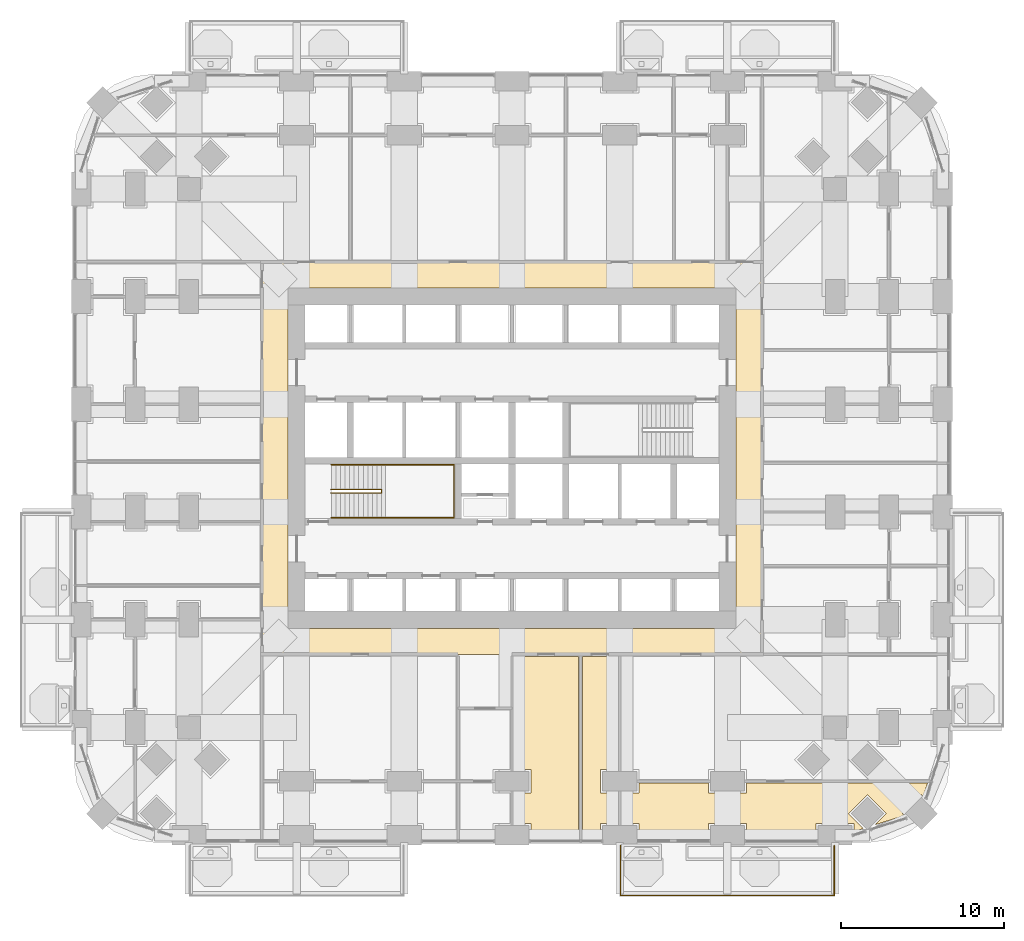
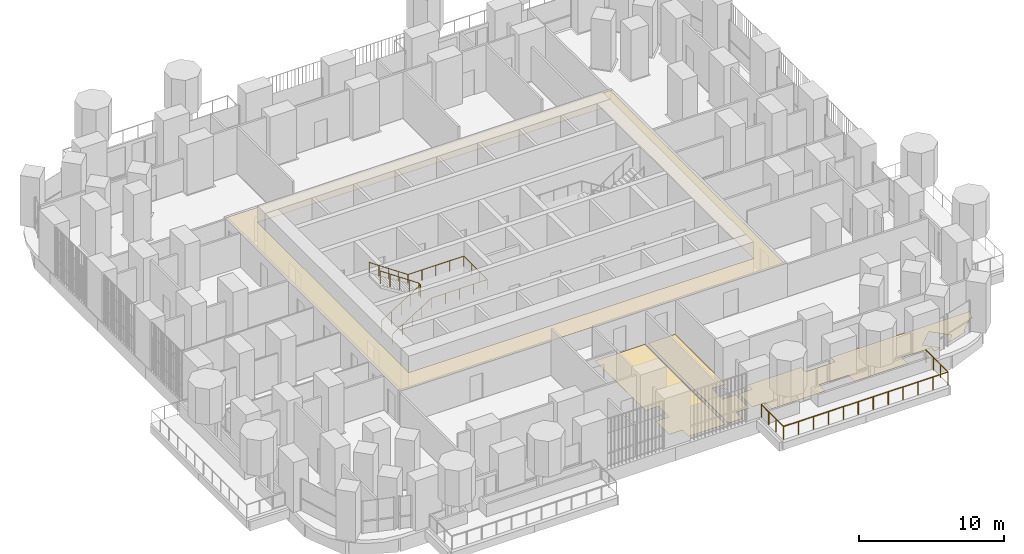
# One storey, part 24 of 27: 4 coverings, 3 railings.
"""IFC4 building model written with IfcOpenShell, lengths in metres."""

from ifc_helpers import new_model, si_unit, direction, frame, origin, place, context, subcontext, project, spatial, polyline, outline, extrude, material, layer, layer_set, type_object, element, save


model = new_model("IFC4")

# Units and contexts
model_context = context("Model", 3, precision=1e-05, world=origin(), true_north=direction((0.0, 1.0)))
body_context = subcontext(model_context, "Body", "Model", "MODEL_VIEW")
ifc_project = project(units=[si_unit("LENGTHUNIT", "METRE"), si_unit("AREAUNIT", "SQUARE_METRE"), si_unit("VOLUMEUNIT", "CUBIC_METRE"), si_unit("PLANEANGLEUNIT", "RADIAN"), si_unit("MASSUNIT", "GRAM", prefix="KILO")], contexts=[model_context])

# Site, building, storey
site_placement = place(None, origin())
site = spatial("IfcSite", under=ifc_project, at=site_placement, CompositionType="ELEMENT")
building_placement = place(site_placement, origin())
building = spatial("IfcBuilding", under=site, at=building_placement, Name="Cobogo Forest Laboratory Tower", CompositionType="ELEMENT")
storey_placement = place(building_placement, frame((0.0, 0.0, 54.89990234375)))
storey = spatial("IfcBuildingStorey", under=building, at=storey_placement, Name="L12", CompositionType="ELEMENT", Elevation=54.89990234375)

# Railing
ifc_material_1 = material(Name="Laminated glass balustrade", Category="glass")
railing_type_1 = type_object("IfcRailingType", Name="BG1 glass balustrade 1100", PredefinedType="GUARDRAIL", material=ifc_material_1)
railing_1_placement = place(storey_placement, frame((33.050048828125, -0.64990234375, 0.0)))
element("IfcRailing", 1, at=railing_1_placement, inside=storey, type_object=railing_type_1, Name="Balcony balustrade BAL-S2 L12", PredefinedType="GUARDRAIL", context=body_context, shape_type="SweptSolid", body=[
    extrude(outline(polyline([(0.022216796875, 0.00927734375), (0.00927734375, 0.022216796875), (-0.00927734375, 0.022216796875), (-0.022216796875, 0.00927734375), (-0.022216796875, -0.00927734375), (-0.00927734375, -0.022216796875), (0.00927734375, -0.022216796875), (0.022216796875, -0.00927734375), (0.022216796875, 0.00927734375)])), frame((0.0, 0.0, 1.077880859375), z_axis=(0.0, -1.0, 0.0), x_axis=(1.0, 0.0, 0.0)), (0.0, 0.0, 1.0), 3.050048828125),
    extrude(outline(polyline([(0.022216796875, 0.00927734375), (0.00927734375, 0.022216796875), (-0.00927734375, 0.022216796875), (-0.022216796875, 0.00927734375), (-0.022216796875, -0.00927734375), (-0.00927734375, -0.022216796875), (0.00927734375, -0.022216796875), (0.022216796875, -0.00927734375), (0.022216796875, 0.00927734375)])), frame((0.0, -3.050048828125, 1.077880859375), z_axis=(1.0, 0.0, 0.0), x_axis=(0.0, 1.0, 0.0)), (0.0, 0.0, 1.0), 13.099853515625),
    extrude(outline(polyline([(0.022216796875, 0.00927734375), (0.00927734375, 0.022216796875), (-0.00927734375, 0.022216796875), (-0.022216796875, 0.00927734375), (-0.022216796875, -0.00927734375), (-0.00927734375, -0.022216796875), (0.00927734375, -0.022216796875), (0.022216796875, -0.00927734375), (0.022216796875, 0.00927734375)])), frame((13.099853515625, -3.050048828125, 1.077880859375), z_axis=(0.0, 1.0, 0.0), x_axis=(-1.0, 0.0, 0.0)), (0.0, 0.0, 1.0), 3.050048828125),
    extrude(outline(polyline([(0.019287109375, 0.008056640625), (0.008056640625, 0.019287109375), (-0.008056640625, 0.019287109375), (-0.019287109375, 0.008056640625), (-0.019287109375, -0.008056640625), (-0.008056640625, -0.019287109375), (0.008056640625, -0.019287109375), (0.019287109375, -0.008056640625), (0.019287109375, 0.008056640625)])), origin(), (0.0, 0.0, 1.0), 1.077880859375),
    extrude(outline(polyline([(0.019287109375, 0.008056640625), (0.008056640625, 0.019287109375), (-0.008056640625, 0.019287109375), (-0.019287109375, 0.008056640625), (-0.019287109375, -0.008056640625), (-0.008056640625, -0.019287109375), (0.008056640625, -0.019287109375), (0.019287109375, -0.008056640625), (0.019287109375, 0.008056640625)])), frame((0.0, -1.0166015625, 0.0)), (0.0, 0.0, 1.0), 1.077880859375),
    extrude(outline(polyline([(0.019287109375, 0.008056640625), (0.008056640625, 0.019287109375), (-0.008056640625, 0.019287109375), (-0.019287109375, 0.008056640625), (-0.019287109375, -0.008056640625), (-0.008056640625, -0.019287109375), (0.008056640625, -0.019287109375), (0.019287109375, -0.008056640625), (0.019287109375, 0.008056640625)])), frame((0.0, -2.033447265625, 0.0)), (0.0, 0.0, 1.0), 1.077880859375),
    extrude(outline(polyline([(0.019287109375, 0.008056640625), (0.008056640625, 0.019287109375), (-0.008056640625, 0.019287109375), (-0.019287109375, 0.008056640625), (-0.019287109375, -0.008056640625), (-0.008056640625, -0.019287109375), (0.008056640625, -0.019287109375), (0.019287109375, -0.008056640625), (0.019287109375, 0.008056640625)])), frame((0.0, -3.050048828125, 0.0)), (0.0, 0.0, 1.0), 1.077880859375),
    extrude(outline(polyline([(0.019287109375, 0.008056640625), (0.008056640625, 0.019287109375), (-0.008056640625, 0.019287109375), (-0.019287109375, 0.008056640625), (-0.019287109375, -0.008056640625), (-0.008056640625, -0.019287109375), (0.008056640625, -0.019287109375), (0.019287109375, -0.008056640625), (0.019287109375, 0.008056640625)])), frame((1.19091796875, -3.050048828125, 0.0)), (0.0, 0.0, 1.0), 1.077880859375),
    extrude(outline(polyline([(0.019287109375, 0.008056640625), (0.008056640625, 0.019287109375), (-0.008056640625, 0.019287109375), (-0.019287109375, 0.008056640625), (-0.019287109375, -0.008056640625), (-0.008056640625, -0.019287109375), (0.008056640625, -0.019287109375), (0.019287109375, -0.008056640625), (0.019287109375, 0.008056640625)])), frame((2.3818359375, -3.050048828125, 0.0)), (0.0, 0.0, 1.0), 1.077880859375),
    extrude(outline(polyline([(0.019287109375, 0.008056640625), (0.008056640625, 0.019287109375), (-0.008056640625, 0.019287109375), (-0.019287109375, 0.008056640625), (-0.019287109375, -0.008056640625), (-0.008056640625, -0.019287109375), (0.008056640625, -0.019287109375), (0.019287109375, -0.008056640625), (0.019287109375, 0.008056640625)])), frame((3.57275390625, -3.050048828125, 0.0)), (0.0, 0.0, 1.0), 1.077880859375),
    extrude(outline(polyline([(0.019287109375, 0.008056640625), (0.008056640625, 0.019287109375), (-0.008056640625, 0.019287109375), (-0.019287109375, 0.008056640625), (-0.019287109375, -0.008056640625), (-0.008056640625, -0.019287109375), (0.008056640625, -0.019287109375), (0.019287109375, -0.008056640625), (0.019287109375, 0.008056640625)])), frame((4.763671875, -3.050048828125, 0.0)), (0.0, 0.0, 1.0), 1.077880859375),
    extrude(outline(polyline([(0.019287109375, 0.008056640625), (0.008056640625, 0.019287109375), (-0.008056640625, 0.019287109375), (-0.019287109375, 0.008056640625), (-0.019287109375, -0.008056640625), (-0.008056640625, -0.019287109375), (0.008056640625, -0.019287109375), (0.019287109375, -0.008056640625), (0.019287109375, 0.008056640625)])), frame((5.95458984375, -3.050048828125, 0.0)), (0.0, 0.0, 1.0), 1.077880859375),
    extrude(outline(polyline([(0.019287109375, 0.008056640625), (0.008056640625, 0.019287109375), (-0.008056640625, 0.019287109375), (-0.019287109375, 0.008056640625), (-0.019287109375, -0.008056640625), (-0.008056640625, -0.019287109375), (0.008056640625, -0.019287109375), (0.019287109375, -0.008056640625), (0.019287109375, 0.008056640625)])), frame((7.145263671875, -3.050048828125, 0.0)), (0.0, 0.0, 1.0), 1.077880859375),
    extrude(outline(polyline([(0.019287109375, 0.008056640625), (0.008056640625, 0.019287109375), (-0.008056640625, 0.019287109375), (-0.019287109375, 0.008056640625), (-0.019287109375, -0.008056640625), (-0.008056640625, -0.019287109375), (0.008056640625, -0.019287109375), (0.019287109375, -0.008056640625), (0.019287109375, 0.008056640625)])), frame((8.336181640625, -3.050048828125, 0.0)), (0.0, 0.0, 1.0), 1.077880859375),
    extrude(outline(polyline([(0.019287109375, 0.008056640625), (0.008056640625, 0.019287109375), (-0.008056640625, 0.019287109375), (-0.019287109375, 0.008056640625), (-0.019287109375, -0.008056640625), (-0.008056640625, -0.019287109375), (0.008056640625, -0.019287109375), (0.019287109375, -0.008056640625), (0.019287109375, 0.008056640625)])), frame((9.527099609375, -3.050048828125, 0.0)), (0.0, 0.0, 1.0), 1.077880859375),
    extrude(outline(polyline([(0.019287109375, 0.008056640625), (0.008056640625, 0.019287109375), (-0.008056640625, 0.019287109375), (-0.019287109375, 0.008056640625), (-0.019287109375, -0.008056640625), (-0.008056640625, -0.019287109375), (0.008056640625, -0.019287109375), (0.019287109375, -0.008056640625), (0.019287109375, 0.008056640625)])), frame((10.718017578125, -3.050048828125, 0.0)), (0.0, 0.0, 1.0), 1.077880859375),
    extrude(outline(polyline([(0.019287109375, 0.008056640625), (0.008056640625, 0.019287109375), (-0.008056640625, 0.019287109375), (-0.019287109375, 0.008056640625), (-0.019287109375, -0.008056640625), (-0.008056640625, -0.019287109375), (0.008056640625, -0.019287109375), (0.019287109375, -0.008056640625), (0.019287109375, 0.008056640625)])), frame((11.908935546875, -3.050048828125, 0.0)), (0.0, 0.0, 1.0), 1.077880859375),
    extrude(outline(polyline([(0.019287109375, 0.008056640625), (0.008056640625, 0.019287109375), (-0.008056640625, 0.019287109375), (-0.019287109375, 0.008056640625), (-0.019287109375, -0.008056640625), (-0.008056640625, -0.019287109375), (0.008056640625, -0.019287109375), (0.019287109375, -0.008056640625), (0.019287109375, 0.008056640625)])), frame((13.099853515625, -3.050048828125, 0.0)), (0.0, 0.0, 1.0), 1.077880859375),
    extrude(outline(polyline([(0.019287109375, 0.008056640625), (0.008056640625, 0.019287109375), (-0.008056640625, 0.019287109375), (-0.019287109375, 0.008056640625), (-0.019287109375, -0.008056640625), (-0.008056640625, -0.019287109375), (0.008056640625, -0.019287109375), (0.019287109375, -0.008056640625), (0.019287109375, 0.008056640625)])), frame((13.099853515625, -2.033447265625, 0.0)), (0.0, 0.0, 1.0), 1.077880859375),
    extrude(outline(polyline([(0.019287109375, 0.008056640625), (0.008056640625, 0.019287109375), (-0.008056640625, 0.019287109375), (-0.019287109375, 0.008056640625), (-0.019287109375, -0.008056640625), (-0.008056640625, -0.019287109375), (0.008056640625, -0.019287109375), (0.019287109375, -0.008056640625), (0.019287109375, 0.008056640625)])), frame((13.099853515625, -1.0166015625, 0.0)), (0.0, 0.0, 1.0), 1.077880859375),
    extrude(outline(polyline([(0.019287109375, 0.008056640625), (0.008056640625, 0.019287109375), (-0.008056640625, 0.019287109375), (-0.019287109375, 0.008056640625), (-0.019287109375, -0.008056640625), (-0.008056640625, -0.019287109375), (0.008056640625, -0.019287109375), (0.019287109375, -0.008056640625), (0.019287109375, 0.008056640625)])), frame((13.099853515625, 0.0, 0.0)), (0.0, 0.0, 1.0), 1.077880859375),
])

# Coverings
ifc_material_2 = material(Name="Mineral fibre ceiling tile", Category="ceiling")
ifc_layer_1 = layer(ifc_material_2, 0.02001953125)
ifc_layer_set_1 = layer_set([ifc_layer_1], Name="CL1 suspended ceiling")
covering_type_1 = type_object("IfcCoveringType", Name="CL1 suspended ceiling", PredefinedType="CEILING", material=ifc_layer_set_1)
covering_1_placement = place(storey_placement, frame((0.0, 0.0, 2.800048828125)))
element("IfcCovering", 2, at=covering_1_placement, inside=storey, type_object=covering_type_1, Name="Corridor ceiling L12", PredefinedType="CEILING", context=body_context, shape_type="SweptSolid", body=[
    extrude(outline(polyline([(11.074951171875, 11.074951171875), (11.074951171875, 35.125), (41.72509765625, 35.125), (41.72509765625, 11.074951171875), (11.074951171875, 11.074951171875)]), holes=[polyline([(40.125, 33.52490234375), (12.675048828125, 33.52490234375), (12.675048828125, 12.675048828125), (40.125, 12.675048828125), (40.125, 33.52490234375)])]), origin(), (0.0, 0.0, 1.0), 0.02001953125),
])
ifc_material_3 = material(Name="Carpet tile on raised access floor", Category="flooring")
ifc_layer_2 = layer(ifc_material_3, 0.008056640625)
ifc_layer_set_2 = layer_set([ifc_layer_2], Name="CT1 carpet tile floor 8")
covering_type_2 = type_object("IfcCoveringType", Name="CT1 carpet tile floor 8", PredefinedType="FLOORING", material=ifc_layer_set_2)
covering_2_placement = place(storey_placement, origin())
element("IfcCovering", 3, at=covering_2_placement, inside=storey, type_object=covering_type_2, Name="Carpet floor L12-05", PredefinedType="FLOORING", context=body_context, shape_type="SweptSolid", body=[
    extrude(outline(polyline([(30.47998046875, 10.955078125), (30.47998046875, -0.14990234375), (27.570068359375, -0.14990234375), (27.570068359375, 0.719970703125), (26.52001953125, 0.719970703125), (26.52001953125, 2.580078125), (27.570068359375, 2.580078125), (27.570068359375, 4.02001953125), (26.52001953125, 4.02001953125), (26.52001953125, 10.955078125), (30.47998046875, 10.955078125)])), origin(), (0.0, 0.0, 1.0), 0.008056640625),
])
covering_3_placement = place(storey_placement, origin())
element("IfcCovering", 4, at=covering_3_placement, inside=storey, type_object=covering_type_2, Name="Carpet floor L12-08", PredefinedType="FLOORING", context=body_context, shape_type="SweptSolid", body=[
    extrude(outline(polyline([(38.429931640625, 3.179931640625), (38.429931640625, 2.580078125), (40.77001953125, 2.580078125), (40.77001953125, 3.179931640625), (51.8603515625, 3.179931640625), (51.600830078125, 2.358642578125), (51.48193359375, 2.477783203125), (50.322265625, 1.318115234375), (50.441162109375, 1.19921875), (48.660400390625, 0.63671875), (49.341552734375, 1.318115234375), (48.181884765625, 2.477783203125), (47.022216796875, 1.318115234375), (47.933349609375, 0.406982421875), (47.3701171875, 0.229248046875), (47.3701171875, 0.719970703125), (45.030029296875, 0.719970703125), (45.030029296875, -0.14990234375), (40.77001953125, -0.14990234375), (40.77001953125, 0.719970703125), (38.429931640625, 0.719970703125), (38.429931640625, -0.14990234375), (34.169921875, -0.14990234375), (34.169921875, 0.719970703125), (33.1201171875, 0.719970703125), (33.1201171875, 2.580078125), (34.169921875, 2.580078125), (34.169921875, 3.179931640625), (38.429931640625, 3.179931640625)])), origin(), (0.0, 0.0, 1.0), 0.008056640625),
])

# Railings
ifc_material_4 = material(Name="Steel balustrade", Category="steel")
railing_type_2 = type_object("IfcRailingType", Name="GR stair guard 1100", PredefinedType="GUARDRAIL", material=ifc_material_4)
railing_2_placement = place(storey_placement, frame((15.324951171875, 20.969970703125, 0.175048828125)))
element("IfcRailing", 5, at=railing_2_placement, inside=storey, type_object=railing_type_2, Name="Stair guard ST1 L12", PredefinedType="GUARDRAIL", context=body_context, shape_type="SweptSolid", body=[
    extrude(outline(polyline([(0.022216796875, 0.00927734375), (0.00927734375, 0.022216796875), (-0.00927734375, 0.022216796875), (-0.022216796875, 0.00927734375), (-0.022216796875, -0.00927734375), (-0.00927734375, -0.022216796875), (0.00927734375, -0.022216796875), (0.022216796875, -0.00927734375), (0.022216796875, 0.00927734375)])), frame((0.0, 0.0, 1.077880859375), z_axis=(0.847998304005, 0.0, 0.529998940003), x_axis=(0.0, 1.0, 0.0)), (0.0, 0.0, 1.0), 3.632080078125),
    extrude(outline(polyline([(0.022216796875, 0.00927734375), (0.00927734375, 0.022216796875), (-0.00927734375, 0.022216796875), (-0.022216796875, 0.00927734375), (-0.022216796875, -0.00927734375), (-0.00927734375, -0.022216796875), (0.00927734375, -0.022216796875), (0.022216796875, -0.00927734375), (0.022216796875, 0.00927734375)])), frame((3.080078125, 0.0, 3.0029296875), z_axis=(0.0, 1.0, 0.0), x_axis=(-1.0, 0.0, 0.0)), (0.0, 0.0, 1.0), 0.2099609375),
    extrude(outline(polyline([(0.022216796875, 0.00927734375), (0.00927734375, 0.022216796875), (-0.00927734375, 0.022216796875), (-0.022216796875, 0.00927734375), (-0.022216796875, -0.00927734375), (-0.00927734375, -0.022216796875), (0.00927734375, -0.022216796875), (0.022216796875, -0.00927734375), (0.022216796875, 0.00927734375)])), frame((3.080078125, 0.2099609375, 3.0029296875), z_axis=(-0.826221800596, 0.0, 0.563344953133), x_axis=(0.0, -1.0, 0.0)), (0.0, 0.0, 1.0), 3.72802734375),
    extrude(outline(polyline([(0.019287109375, 0.008056640625), (0.008056640625, 0.019287109375), (-0.008056640625, 0.019287109375), (-0.019287109375, 0.008056640625), (-0.019287109375, -0.008056640625), (-0.008056640625, -0.019287109375), (0.008056640625, -0.019287109375), (0.019287109375, -0.008056640625), (0.019287109375, 0.008056640625)])), origin(), (0.0, 0.0, 1.0), 1.077880859375),
    extrude(outline(polyline([(0.019287109375, 0.008056640625), (0.008056640625, 0.019287109375), (-0.008056640625, 0.019287109375), (-0.019287109375, 0.008056640625), (-0.019287109375, -0.008056640625), (-0.008056640625, -0.019287109375), (0.008056640625, -0.019287109375), (0.019287109375, -0.008056640625), (0.019287109375, 0.008056640625)])), frame((0.77001953125, 0.0, 0.481201171875)), (0.0, 0.0, 1.0), 1.077880859375),
    extrude(outline(polyline([(0.019287109375, 0.008056640625), (0.008056640625, 0.019287109375), (-0.008056640625, 0.019287109375), (-0.019287109375, 0.008056640625), (-0.019287109375, -0.008056640625), (-0.008056640625, -0.019287109375), (0.008056640625, -0.019287109375), (0.019287109375, -0.008056640625), (0.019287109375, 0.008056640625)])), frame((1.5400390625, 0.0, 0.96240234375)), (0.0, 0.0, 1.0), 1.077880859375),
    extrude(outline(polyline([(0.019287109375, 0.008056640625), (0.008056640625, 0.019287109375), (-0.008056640625, 0.019287109375), (-0.019287109375, 0.008056640625), (-0.019287109375, -0.008056640625), (-0.008056640625, -0.019287109375), (0.008056640625, -0.019287109375), (0.019287109375, -0.008056640625), (0.019287109375, 0.008056640625)])), frame((2.31005859375, 0.0, 1.44384765625)), (0.0, 0.0, 1.0), 1.077880859375),
    extrude(outline(polyline([(0.019287109375, 0.008056640625), (0.008056640625, 0.019287109375), (-0.008056640625, 0.019287109375), (-0.019287109375, 0.008056640625), (-0.019287109375, -0.008056640625), (-0.008056640625, -0.019287109375), (0.008056640625, -0.019287109375), (0.019287109375, -0.008056640625), (0.019287109375, 0.008056640625)])), frame((3.080078125, 0.0, 1.925048828125)), (0.0, 0.0, 1.0), 1.077880859375),
    extrude(outline(polyline([(0.019287109375, 0.008056640625), (0.008056640625, 0.019287109375), (-0.008056640625, 0.019287109375), (-0.019287109375, 0.008056640625), (-0.019287109375, -0.008056640625), (-0.008056640625, -0.019287109375), (0.008056640625, -0.019287109375), (0.019287109375, -0.008056640625), (0.019287109375, 0.008056640625)])), frame((3.080078125, 0.2099609375, 1.925048828125)), (0.0, 0.0, 1.0), 1.077880859375),
    extrude(outline(polyline([(0.019287109375, 0.008056640625), (0.008056640625, 0.019287109375), (-0.008056640625, 0.019287109375), (-0.019287109375, 0.008056640625), (-0.019287109375, -0.008056640625), (-0.008056640625, -0.019287109375), (0.008056640625, -0.019287109375), (0.019287109375, -0.008056640625), (0.019287109375, 0.008056640625)])), frame((2.31005859375, 0.2099609375, 2.4501953125)), (0.0, 0.0, 1.0), 1.077880859375),
    extrude(outline(polyline([(0.019287109375, 0.008056640625), (0.008056640625, 0.019287109375), (-0.008056640625, 0.019287109375), (-0.019287109375, 0.008056640625), (-0.019287109375, -0.008056640625), (-0.008056640625, -0.019287109375), (0.008056640625, -0.019287109375), (0.019287109375, -0.008056640625), (0.019287109375, 0.008056640625)])), frame((1.5400390625, 0.2099609375, 2.97509765625)), (0.0, 0.0, 1.0), 1.077880859375),
    extrude(outline(polyline([(0.019287109375, 0.008056640625), (0.008056640625, 0.019287109375), (-0.008056640625, 0.019287109375), (-0.019287109375, 0.008056640625), (-0.019287109375, -0.008056640625), (-0.008056640625, -0.019287109375), (0.008056640625, -0.019287109375), (0.019287109375, -0.008056640625), (0.019287109375, 0.008056640625)])), frame((0.77001953125, 0.2099609375, 3.5)), (0.0, 0.0, 1.0), 1.077880859375),
    extrude(outline(polyline([(0.019287109375, 0.008056640625), (0.008056640625, 0.019287109375), (-0.008056640625, 0.019287109375), (-0.019287109375, 0.008056640625), (-0.019287109375, -0.008056640625), (-0.008056640625, -0.019287109375), (0.008056640625, -0.019287109375), (0.019287109375, -0.008056640625), (0.019287109375, 0.008056640625)])), frame((0.0, 0.2099609375, 4.025146484375)), (0.0, 0.0, 1.0), 1.077880859375),
])
ifc_material_5 = material(Name="Stainless steel handrail", Category="steel")
railing_type_3 = type_object("IfcRailingType", Name="HR handrail 900", PredefinedType="HANDRAIL", material=ifc_material_5)
railing_3_placement = place(storey_placement, frame((15.324951171875, 19.449951171875, 0.175048828125)))
element("IfcRailing", 6, at=railing_3_placement, inside=storey, type_object=railing_type_3, Name="Stair handrail ST1 L12", PredefinedType="HANDRAIL", context=body_context, shape_type="SweptSolid", body=[
    extrude(outline(polyline([(0.022216796875, 0.00927734375), (0.00927734375, 0.022216796875), (-0.00927734375, 0.022216796875), (-0.022216796875, 0.00927734375), (-0.022216796875, -0.00927734375), (-0.00927734375, -0.022216796875), (0.00927734375, -0.022216796875), (0.022216796875, -0.00927734375), (0.022216796875, 0.00927734375)])), frame((0.0, 0.0, 0.877685546875), z_axis=(0.847998304005, 0.0, 0.529998940003), x_axis=(0.0, 1.0, 0.0)), (0.0, 0.0, 1.0), 3.632080078125),
    extrude(outline(polyline([(0.022216796875, 0.00927734375), (0.00927734375, 0.022216796875), (-0.00927734375, 0.022216796875), (-0.022216796875, 0.00927734375), (-0.022216796875, -0.00927734375), (-0.00927734375, -0.022216796875), (0.00927734375, -0.022216796875), (0.022216796875, -0.00927734375), (0.022216796875, 0.00927734375)])), frame((3.080078125, 0.0, 2.802734375), z_axis=(1.0, 0.0, 0.0), x_axis=(0.0, 1.0, 0.0)), (0.0, 0.0, 1.0), 4.445068359375),
    extrude(outline(polyline([(0.022216796875, 0.00927734375), (0.00927734375, 0.022216796875), (-0.00927734375, 0.022216796875), (-0.022216796875, 0.00927734375), (-0.022216796875, -0.00927734375), (-0.00927734375, -0.022216796875), (0.00927734375, -0.022216796875), (0.022216796875, -0.00927734375), (0.022216796875, 0.00927734375)])), frame((7.525146484375, 0.0, 2.802734375), z_axis=(0.0, 1.0, 0.0), x_axis=(-1.0, 0.0, 0.0)), (0.0, 0.0, 1.0), 3.25),
    extrude(outline(polyline([(0.022216796875, 0.00927734375), (0.00927734375, 0.022216796875), (-0.00927734375, 0.022216796875), (-0.022216796875, 0.00927734375), (-0.022216796875, -0.00927734375), (-0.00927734375, -0.022216796875), (0.00927734375, -0.022216796875), (0.022216796875, -0.00927734375), (0.022216796875, 0.00927734375)])), frame((7.525146484375, 3.25, 2.802734375), z_axis=(-1.0, 0.0, 0.0), x_axis=(0.0, -1.0, 0.0)), (0.0, 0.0, 1.0), 4.445068359375),
    extrude(outline(polyline([(0.022216796875, 0.00927734375), (0.00927734375, 0.022216796875), (-0.00927734375, 0.022216796875), (-0.022216796875, 0.00927734375), (-0.022216796875, -0.00927734375), (-0.00927734375, -0.022216796875), (0.00927734375, -0.022216796875), (0.022216796875, -0.00927734375), (0.022216796875, 0.00927734375)])), frame((3.080078125, 3.25, 2.802734375), z_axis=(-0.826221800596, 0.0, 0.563344953133), x_axis=(0.0, -1.0, 0.0)), (0.0, 0.0, 1.0), 3.72802734375),
    extrude(outline(polyline([(0.019287109375, 0.008056640625), (0.008056640625, 0.019287109375), (-0.008056640625, 0.019287109375), (-0.019287109375, 0.008056640625), (-0.019287109375, -0.008056640625), (-0.008056640625, -0.019287109375), (0.008056640625, -0.019287109375), (0.019287109375, -0.008056640625), (0.019287109375, 0.008056640625)])), origin(), (0.0, 0.0, 1.0), 0.877685546875),
    extrude(outline(polyline([(0.019287109375, 0.008056640625), (0.008056640625, 0.019287109375), (-0.008056640625, 0.019287109375), (-0.019287109375, 0.008056640625), (-0.019287109375, -0.008056640625), (-0.008056640625, -0.019287109375), (0.008056640625, -0.019287109375), (0.019287109375, -0.008056640625), (0.019287109375, 0.008056640625)])), frame((0.77001953125, 0.0, 0.481201171875)), (0.0, 0.0, 1.0), 0.877685546875),
    extrude(outline(polyline([(0.019287109375, 0.008056640625), (0.008056640625, 0.019287109375), (-0.008056640625, 0.019287109375), (-0.019287109375, 0.008056640625), (-0.019287109375, -0.008056640625), (-0.008056640625, -0.019287109375), (0.008056640625, -0.019287109375), (0.019287109375, -0.008056640625), (0.019287109375, 0.008056640625)])), frame((1.5400390625, 0.0, 0.96240234375)), (0.0, 0.0, 1.0), 0.877685546875),
    extrude(outline(polyline([(0.019287109375, 0.008056640625), (0.008056640625, 0.019287109375), (-0.008056640625, 0.019287109375), (-0.019287109375, 0.008056640625), (-0.019287109375, -0.008056640625), (-0.008056640625, -0.019287109375), (0.008056640625, -0.019287109375), (0.019287109375, -0.008056640625), (0.019287109375, 0.008056640625)])), frame((2.31005859375, 0.0, 1.44384765625)), (0.0, 0.0, 1.0), 0.877685546875),
    extrude(outline(polyline([(0.019287109375, 0.008056640625), (0.008056640625, 0.019287109375), (-0.008056640625, 0.019287109375), (-0.019287109375, 0.008056640625), (-0.019287109375, -0.008056640625), (-0.008056640625, -0.019287109375), (0.008056640625, -0.019287109375), (0.019287109375, -0.008056640625), (0.019287109375, 0.008056640625)])), frame((3.080078125, 0.0, 1.925048828125)), (0.0, 0.0, 1.0), 0.877685546875),
    extrude(outline(polyline([(0.019287109375, 0.008056640625), (0.008056640625, 0.019287109375), (-0.008056640625, 0.019287109375), (-0.019287109375, 0.008056640625), (-0.019287109375, -0.008056640625), (-0.008056640625, -0.019287109375), (0.008056640625, -0.019287109375), (0.019287109375, -0.008056640625), (0.019287109375, 0.008056640625)])), frame((4.19140625, 0.0, 1.925048828125)), (0.0, 0.0, 1.0), 0.877685546875),
    extrude(outline(polyline([(0.019287109375, 0.008056640625), (0.008056640625, 0.019287109375), (-0.008056640625, 0.019287109375), (-0.019287109375, 0.008056640625), (-0.019287109375, -0.008056640625), (-0.008056640625, -0.019287109375), (0.008056640625, -0.019287109375), (0.019287109375, -0.008056640625), (0.019287109375, 0.008056640625)])), frame((5.302734375, 0.0, 1.925048828125)), (0.0, 0.0, 1.0), 0.877685546875),
    extrude(outline(polyline([(0.019287109375, 0.008056640625), (0.008056640625, 0.019287109375), (-0.008056640625, 0.019287109375), (-0.019287109375, 0.008056640625), (-0.019287109375, -0.008056640625), (-0.008056640625, -0.019287109375), (0.008056640625, -0.019287109375), (0.019287109375, -0.008056640625), (0.019287109375, 0.008056640625)])), frame((6.413818359375, 0.0, 1.925048828125)), (0.0, 0.0, 1.0), 0.877685546875),
    extrude(outline(polyline([(0.019287109375, 0.008056640625), (0.008056640625, 0.019287109375), (-0.008056640625, 0.019287109375), (-0.019287109375, 0.008056640625), (-0.019287109375, -0.008056640625), (-0.008056640625, -0.019287109375), (0.008056640625, -0.019287109375), (0.019287109375, -0.008056640625), (0.019287109375, 0.008056640625)])), frame((7.525146484375, 0.0, 1.925048828125)), (0.0, 0.0, 1.0), 0.877685546875),
    extrude(outline(polyline([(0.019287109375, 0.008056640625), (0.008056640625, 0.019287109375), (-0.008056640625, 0.019287109375), (-0.019287109375, 0.008056640625), (-0.019287109375, -0.008056640625), (-0.008056640625, -0.019287109375), (0.008056640625, -0.019287109375), (0.019287109375, -0.008056640625), (0.019287109375, 0.008056640625)])), frame((7.525146484375, 1.083251953125, 1.925048828125)), (0.0, 0.0, 1.0), 0.877685546875),
    extrude(outline(polyline([(0.019287109375, 0.008056640625), (0.008056640625, 0.019287109375), (-0.008056640625, 0.019287109375), (-0.019287109375, 0.008056640625), (-0.019287109375, -0.008056640625), (-0.008056640625, -0.019287109375), (0.008056640625, -0.019287109375), (0.019287109375, -0.008056640625), (0.019287109375, 0.008056640625)])), frame((7.525146484375, 2.166748046875, 1.925048828125)), (0.0, 0.0, 1.0), 0.877685546875),
    extrude(outline(polyline([(0.019287109375, 0.008056640625), (0.008056640625, 0.019287109375), (-0.008056640625, 0.019287109375), (-0.019287109375, 0.008056640625), (-0.019287109375, -0.008056640625), (-0.008056640625, -0.019287109375), (0.008056640625, -0.019287109375), (0.019287109375, -0.008056640625), (0.019287109375, 0.008056640625)])), frame((7.525146484375, 3.25, 1.925048828125)), (0.0, 0.0, 1.0), 0.877685546875),
    extrude(outline(polyline([(0.019287109375, 0.008056640625), (0.008056640625, 0.019287109375), (-0.008056640625, 0.019287109375), (-0.019287109375, 0.008056640625), (-0.019287109375, -0.008056640625), (-0.008056640625, -0.019287109375), (0.008056640625, -0.019287109375), (0.019287109375, -0.008056640625), (0.019287109375, 0.008056640625)])), frame((6.413818359375, 3.25, 1.925048828125)), (0.0, 0.0, 1.0), 0.877685546875),
    extrude(outline(polyline([(0.019287109375, 0.008056640625), (0.008056640625, 0.019287109375), (-0.008056640625, 0.019287109375), (-0.019287109375, 0.008056640625), (-0.019287109375, -0.008056640625), (-0.008056640625, -0.019287109375), (0.008056640625, -0.019287109375), (0.019287109375, -0.008056640625), (0.019287109375, 0.008056640625)])), frame((5.302734375, 3.25, 1.925048828125)), (0.0, 0.0, 1.0), 0.877685546875),
    extrude(outline(polyline([(0.019287109375, 0.008056640625), (0.008056640625, 0.019287109375), (-0.008056640625, 0.019287109375), (-0.019287109375, 0.008056640625), (-0.019287109375, -0.008056640625), (-0.008056640625, -0.019287109375), (0.008056640625, -0.019287109375), (0.019287109375, -0.008056640625), (0.019287109375, 0.008056640625)])), frame((4.19140625, 3.25, 1.925048828125)), (0.0, 0.0, 1.0), 0.877685546875),
    extrude(outline(polyline([(0.019287109375, 0.008056640625), (0.008056640625, 0.019287109375), (-0.008056640625, 0.019287109375), (-0.019287109375, 0.008056640625), (-0.019287109375, -0.008056640625), (-0.008056640625, -0.019287109375), (0.008056640625, -0.019287109375), (0.019287109375, -0.008056640625), (0.019287109375, 0.008056640625)])), frame((3.080078125, 3.25, 1.925048828125)), (0.0, 0.0, 1.0), 0.877685546875),
    extrude(outline(polyline([(0.019287109375, 0.008056640625), (0.008056640625, 0.019287109375), (-0.008056640625, 0.019287109375), (-0.019287109375, 0.008056640625), (-0.019287109375, -0.008056640625), (-0.008056640625, -0.019287109375), (0.008056640625, -0.019287109375), (0.019287109375, -0.008056640625), (0.019287109375, 0.008056640625)])), frame((2.31005859375, 3.25, 2.4501953125)), (0.0, 0.0, 1.0), 0.877685546875),
    extrude(outline(polyline([(0.019287109375, 0.008056640625), (0.008056640625, 0.019287109375), (-0.008056640625, 0.019287109375), (-0.019287109375, 0.008056640625), (-0.019287109375, -0.008056640625), (-0.008056640625, -0.019287109375), (0.008056640625, -0.019287109375), (0.019287109375, -0.008056640625), (0.019287109375, 0.008056640625)])), frame((1.5400390625, 3.25, 2.97509765625)), (0.0, 0.0, 1.0), 0.877685546875),
    extrude(outline(polyline([(0.019287109375, 0.008056640625), (0.008056640625, 0.019287109375), (-0.008056640625, 0.019287109375), (-0.019287109375, 0.008056640625), (-0.019287109375, -0.008056640625), (-0.008056640625, -0.019287109375), (0.008056640625, -0.019287109375), (0.019287109375, -0.008056640625), (0.019287109375, 0.008056640625)])), frame((0.77001953125, 3.25, 3.5)), (0.0, 0.0, 1.0), 0.877685546875),
    extrude(outline(polyline([(0.019287109375, 0.008056640625), (0.008056640625, 0.019287109375), (-0.008056640625, 0.019287109375), (-0.019287109375, 0.008056640625), (-0.019287109375, -0.008056640625), (-0.008056640625, -0.019287109375), (0.008056640625, -0.019287109375), (0.019287109375, -0.008056640625), (0.019287109375, 0.008056640625)])), frame((0.0, 3.25, 4.025146484375)), (0.0, 0.0, 1.0), 0.877685546875),
])

# Covering
ifc_material_6 = material(Name="Ceramic floor tile", Category="flooring")
ifc_layer_3 = layer(ifc_material_6, 0.010009765625)
ifc_layer_set_3 = layer_set([ifc_layer_3], Name="TF1 ceramic tile floor 10")
covering_type_3 = type_object("IfcCoveringType", Name="TF1 ceramic tile floor 10", PredefinedType="FLOORING", material=ifc_layer_set_3)
covering_4_placement = place(storey_placement, origin())
element("IfcCovering", 7, at=covering_4_placement, inside=storey, type_object=covering_type_3, Name="Tile floor L12-06", PredefinedType="FLOORING", context=body_context, shape_type="SweptSolid", body=[
    extrude(outline(polyline([(32.8798828125, 10.955078125), (32.8798828125, 4.02001953125), (31.830078125, 4.02001953125), (31.830078125, 2.580078125), (32.8798828125, 2.580078125), (32.8798828125, 0.719970703125), (31.830078125, 0.719970703125), (31.830078125, -0.14990234375), (30.719970703125, -0.14990234375), (30.719970703125, 10.955078125), (32.8798828125, 10.955078125)])), origin(), (0.0, 0.0, 1.0), 0.010009765625),
])

save(model, "model.ifc")
